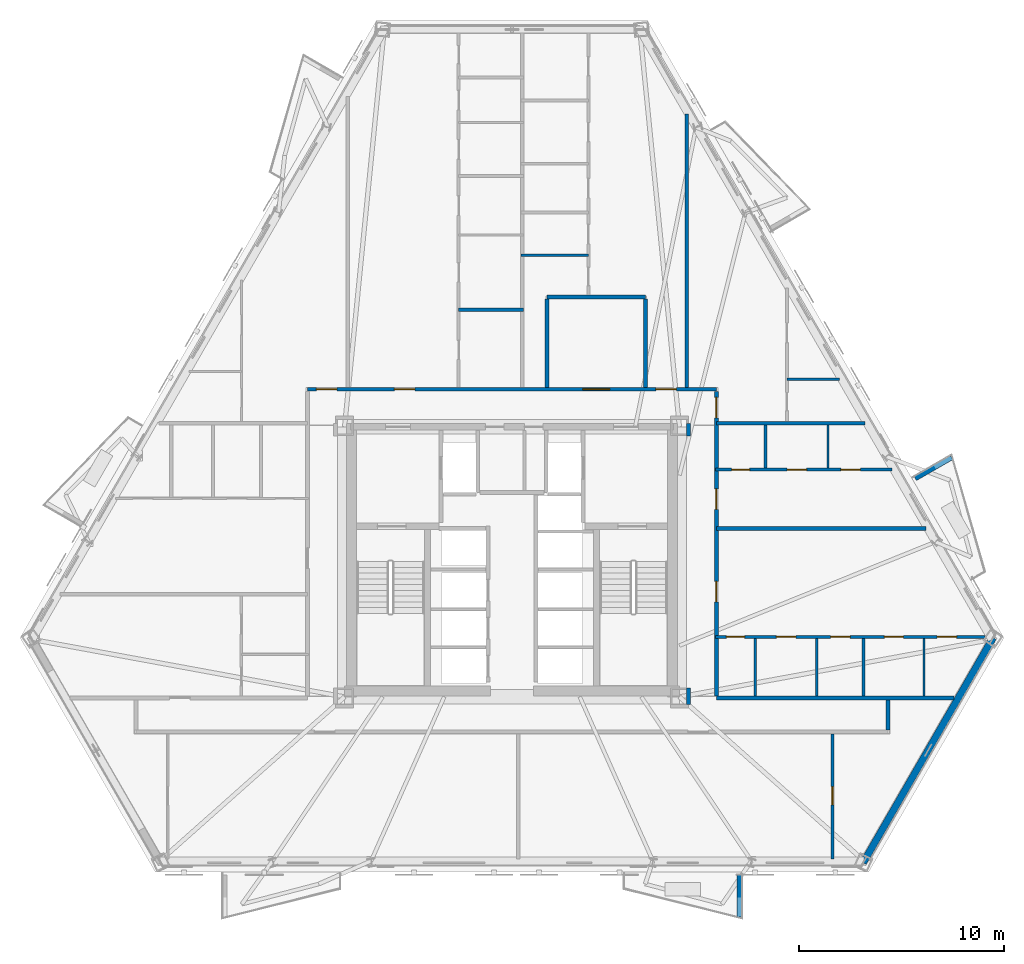
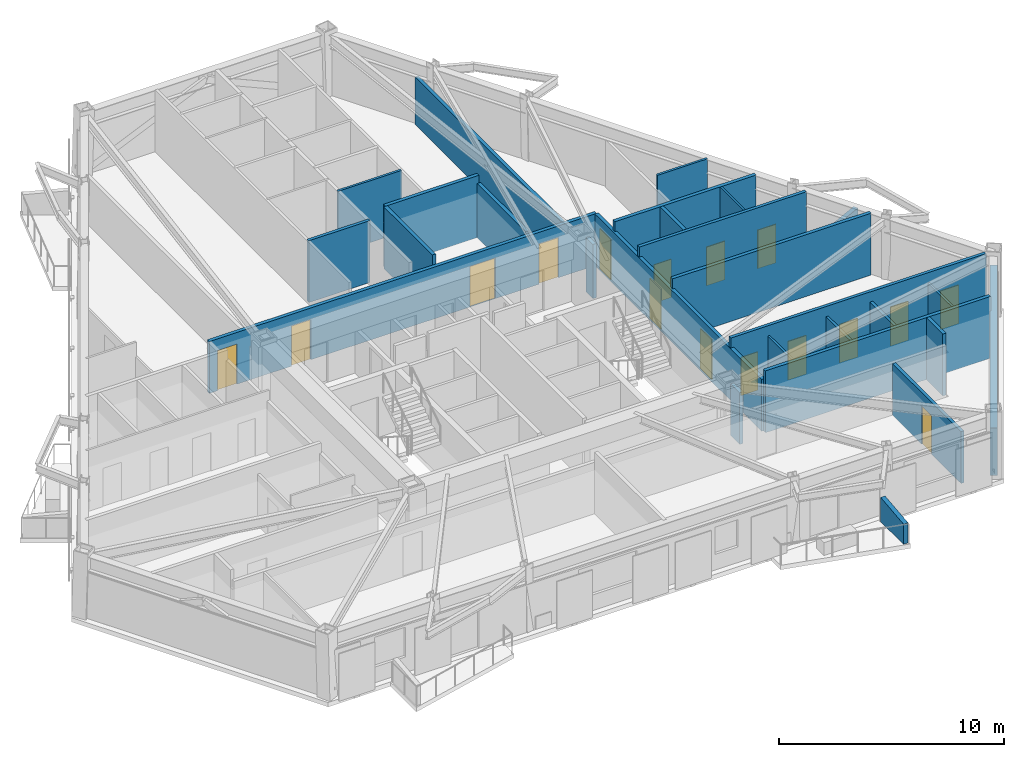
# One storey, part 5 of 11: 27 walls, 16 doors, 16 openings.
"""IFC4 building model written with IfcOpenShell, lengths in metres."""

import ifcopenshell
import ifcopenshell.guid

model = None  # the IFC model being written
_history = None  # IfcOwnerHistory: only IFC2X3 demands one
_inside = {}  # id of a spatial element -> (the spatial element, [elements in it])
_under = {}  # id of a project, library or spatial element -> (it, [spatial elements below it])
_declared = {}  # id of a project -> (the project, [libraries it declares])
_typed = {}  # id of a type object -> (the type object, [elements of that type])
_made_of = {}  # id of a material, layer set ... -> (it, [elements and type objects made of it])


def new_model(schema):
    """Start an empty IFC model of exactly this schema.

    Asked for "IFC4X3", IfcOpenShell would pick the latest addendum, in which some entities
    have other attributes; the version numbers below select the first issue.
    IFC2X3 requires an IfcOwnerHistory on every rooted entity: one is made here for all.
    """
    global model, _history
    if schema == "IFC4X3":
        model = ifcopenshell.file(schema_version=(4, 3, 0, 0))
    else:
        model = ifcopenshell.file(schema=schema)
    _inside.clear()
    _under.clear()
    _declared.clear()
    _typed.clear()
    _made_of.clear()
    _history = None
    if model.schema == "IFC2X3":
        org = make("IfcOrganization", Name="unknown")
        user = make(
            "IfcPersonAndOrganization",
            ThePerson=make("IfcPerson", FamilyName="unknown"),
            TheOrganization=org,
        )
        app = make(
            "IfcApplication",
            ApplicationDeveloper=org,
            Version="unknown",
            ApplicationFullName="unknown",
            ApplicationIdentifier="unknown",
        )
        _history = make(
            "IfcOwnerHistory",
            OwningUser=user,
            OwningApplication=app,
            ChangeAction="ADDED",
            CreationDate=0,
        )
    return model


def make(cls, **values):
    """One entity of the class cls with the attributes given. An attribute that is None is left unset."""
    return model.create_entity(
        cls, **{name: value for name, value in values.items() if value is not None}
    )


def rooted(cls, **values):
    """An entity with a GlobalId (a new one), such as an element, a storey or a relation."""
    return make(cls, GlobalId=ifcopenshell.guid.new(), OwnerHistory=_history, **values)


def si_unit(unit_type, name, prefix=None):
    """IfcSIUnit, for example si_unit("LENGTHUNIT", "METRE", prefix="MILLI")."""
    return make("IfcSIUnit", UnitType=unit_type, Prefix=prefix, Name=name)


def assignment(units):
    """IfcUnitAssignment: the units of a project."""
    return None if units is None else make("IfcUnitAssignment", Units=units)


def point(xyz):
    """IfcCartesianPoint."""
    return None if xyz is None else make("IfcCartesianPoint", Coordinates=xyz)


def direction(xyz):
    """IfcDirection."""
    return None if xyz is None else make("IfcDirection", DirectionRatios=xyz)


def frame(location, z_axis=None, x_axis=None):
    """IfcAxis2Placement3D, a coordinate frame: its origin and axes. An axis left out is left unset."""
    return make(
        "IfcAxis2Placement3D",
        Location=point(location),
        Axis=direction(z_axis),
        RefDirection=direction(x_axis),
    )


def frame_2d(location, x_axis=None):
    """IfcAxis2Placement2D, a coordinate frame in the plane: its origin and x axis."""
    return make(
        "IfcAxis2Placement2D", Location=point(location), RefDirection=direction(x_axis)
    )


def origin():
    """The frame at (0, 0, 0) with its axes left unset."""
    return frame((0.0, 0.0, 0.0))


def place(relative_to, where):
    """IfcLocalPlacement: puts the frame where relative to a parent placement (None: the world)."""
    return make(
        "IfcLocalPlacement", PlacementRelTo=relative_to, RelativePlacement=where
    )


def context(
    kind, dimensions, precision=None, world=None, true_north=None, identifier=None
):
    """IfcGeometricRepresentationContext, for example the 3D "Model" context."""
    return make(
        "IfcGeometricRepresentationContext",
        ContextIdentifier=identifier,
        ContextType=kind,
        CoordinateSpaceDimension=dimensions,
        Precision=precision,
        WorldCoordinateSystem=world,
        TrueNorth=true_north,
    )


def subcontext(parent, identifier, kind, view, scale=None):
    """IfcGeometricRepresentationSubContext, for example "Body" below "Model"."""
    return make(
        "IfcGeometricRepresentationSubContext",
        ContextIdentifier=identifier,
        ContextType=kind,
        ParentContext=parent,
        TargetScale=scale,
        TargetView=view,
    )


def project(units=None, contexts=None):
    """IfcProject with its units and contexts."""
    return rooted(
        "IfcProject",
        Name="project",
        RepresentationContexts=contexts,
        UnitsInContext=assignment(units),
    )


def spatial(cls, under=None, at=None, **own):
    """A site, building, storey or space (cls), placed at a placement, below another one or the project."""
    s = rooted(cls, ObjectPlacement=at, **own)
    if under is not None:
        _under.setdefault(under.id(), (under, []))[1].append(s)
    return s


def polyline(points):
    """IfcPolyline through the points."""
    return make("IfcPolyline", Points=[point(p) for p in points])


def profile(cls, at=None, kind="AREA", **sizes):
    """A parametric profile (cls). Its sizes go by their IFC names, for example OverallWidth=200.0."""
    return make(cls, ProfileType=kind, Position=at, **sizes)


def rectangle(**sizes):
    """IfcRectangleProfileDef."""
    return profile("IfcRectangleProfileDef", **sizes)


def outline(outer, holes=None, kind="AREA"):
    """IfcArbitraryClosedProfileDef: a profile drawn as a closed curve; with holes, ...WithVoids."""
    if holes is None:
        return make("IfcArbitraryClosedProfileDef", ProfileType=kind, OuterCurve=outer)
    return make(
        "IfcArbitraryProfileDefWithVoids",
        ProfileType=kind,
        OuterCurve=outer,
        InnerCurves=holes,
    )


def extrude(swept, where, along, depth):
    """IfcExtrudedAreaSolid: the profile swept, set in the frame where, extruded along a direction by depth."""
    return make(
        "IfcExtrudedAreaSolid",
        SweptArea=swept,
        Position=where,
        ExtrudedDirection=direction(along),
        Depth=depth,
    )


def shape(context_of_items, identifier, shape_type, items):
    """IfcShapeRepresentation: the items that make up one representation, for example the "Body"."""
    return make(
        "IfcShapeRepresentation",
        ContextOfItems=context_of_items,
        RepresentationIdentifier=identifier,
        RepresentationType=shape_type,
        Items=items,
    )


def material(Name=None, Category=None):
    """IfcMaterial."""
    return make("IfcMaterial", Name=Name, Category=Category)


def layer(
    of_material, thickness, ventilated=None, Name=None, Category=None, Priority=None
):
    """IfcMaterialLayer: one layer of a wall or slab, of a material (None: an air gap)."""
    return make(
        "IfcMaterialLayer",
        Material=of_material,
        LayerThickness=thickness,
        IsVentilated=ventilated,
        Name=Name,
        Category=Category,
        Priority=Priority,
    )


def layer_set(layers, Name=None):
    """IfcMaterialLayerSet."""
    return make("IfcMaterialLayerSet", MaterialLayers=layers, LayerSetName=Name)


def made_of(thing, what):
    """Note that an element or type object is made of a material, layer set ...; save() writes the relation."""
    if what is not None:
        _made_of.setdefault(what.id(), (what, []))[1].append(thing)
    return thing


def type_object(cls, material=None, **own):
    """A type object (cls), such as IfcWallType, which elements share."""
    return made_of(rooted(cls, **own), material)


def element(
    cls,
    number,
    at=None,
    inside=None,
    cuts=None,
    type_object=None,
    material=None,
    context=None,
    identifier="Body",
    shape_type=None,
    held_by="IfcProductDefinitionShape",
    body=None,
    shapes=None,
    **own,
):
    """One element of the class cls, such as IfcWall. Its Tag is "e" and its number.

    at: its placement. inside: the storey or other place that contains it. cuts: it is an
    opening in that element (IfcRelVoidsElement). A single representation is given by context,
    identifier, shape_type and body (its items); several are given by shapes. held_by: the class
    of the entity that holds the representations. save() writes the other relations.
    """
    e = rooted(cls, Tag="e%d" % number, ObjectPlacement=at, **own)
    if body is not None:
        shapes = [shape(context, identifier, shape_type, body)]
    if shapes is not None:
        e.Representation = make(held_by, Representations=shapes)
    if inside is not None:
        _inside.setdefault(inside.id(), (inside, []))[1].append(e)
    if cuts is not None:
        rooted(
            "IfcRelVoidsElement", RelatingBuildingElement=cuts, RelatedOpeningElement=e
        )
    if type_object is not None:
        _typed.setdefault(type_object.id(), (type_object, []))[1].append(e)
    return made_of(e, material)


def fill(opening, filler):
    """IfcRelFillsElement: the door or window that sits in an opening."""
    return rooted(
        "IfcRelFillsElement",
        RelatingOpeningElement=opening,
        RelatedBuildingElement=filler,
    )


def aggregate(whole, parts):
    """IfcRelAggregates: a whole, such as a stair, and the parts it consists of."""
    return rooted("IfcRelAggregates", RelatingObject=whole, RelatedObjects=parts)


def save(model, path):
    """Write the relations noted so far, then the file.

    IfcRelAggregates (storeys below a building ...), IfcRelContainedInSpatialStructure (elements
    in a storey), IfcRelDefinesByType, IfcRelAssociatesMaterial and IfcRelDeclares: one each for
    every whole, place, type object, material and project.
    """
    for whole, parts in _under.values():
        aggregate(whole, parts)
    for where, things in _inside.values():
        rooted(
            "IfcRelContainedInSpatialStructure",
            RelatedElements=things,
            RelatingStructure=where,
        )
    for kind, things in _typed.values():
        rooted("IfcRelDefinesByType", RelatedObjects=things, RelatingType=kind)
    for what, things in _made_of.values():
        rooted("IfcRelAssociatesMaterial", RelatedObjects=things, RelatingMaterial=what)
    for by, libraries in _declared.values():
        rooted("IfcRelDeclares", RelatingContext=by, RelatedDefinitions=libraries)
    model.write(path)


model = new_model("IFC4")

# Units and contexts
model_context = context("Model", 3, precision=1e-05, world=origin(), true_north=direction((0.0, 1.0)))
body_context = subcontext(model_context, "Body", "Model", "MODEL_VIEW")
ifc_project = project(units=[si_unit("LENGTHUNIT", "METRE"), si_unit("AREAUNIT", "SQUARE_METRE"), si_unit("VOLUMEUNIT", "CUBIC_METRE"), si_unit("PLANEANGLEUNIT", "RADIAN"), si_unit("MASSUNIT", "GRAM", prefix="KILO")], contexts=[model_context])

# Site, building, storey
site_placement = place(None, origin())
site = spatial("IfcSite", under=ifc_project, at=site_placement, CompositionType="ELEMENT")
building_placement = place(site_placement, origin())
building = spatial("IfcBuilding", under=site, at=building_placement, Name="Oramaril Tower", CompositionType="ELEMENT")
storey_placement = place(building_placement, frame((0.0, 0.0, 86.10009765625)))
storey = spatial("IfcBuildingStorey", under=building, at=storey_placement, Name="L22", CompositionType="ELEMENT", Elevation=86.10009765625)

# Walls
ifc_material_1 = material(Name="Warm Cream Limestone", Category="masonry")
ifc_layer_1 = layer(ifc_material_1, 0.340087890625)
ifc_layer_set_1 = layer_set([ifc_layer_1], Name="WT-EXT34")
wall_type_1 = type_object("IfcWallType", Name="WT-EXT34", PredefinedType="SOLIDWALL", material=ifc_layer_set_1)
wall_1_placement = place(storey_placement, frame((54.595947265625, 2.930419921875, 0.0), z_axis=(0.0, 0.0, 1.0), x_axis=(0.499993808156, 0.866028978618, 0.0)))
element("IfcWall", 1, at=wall_1_placement, inside=storey, type_object=wall_type_1, Name="L22 Tower Limestone Facade Wall 3M", PredefinedType="SOLIDWALL", context=body_context, shape_type="SweptSolid", body=[
    extrude(rectangle(XDim=12.642822265625, YDim=0.340087890625, at=frame_2d((6.3212890625, 0.0))), origin(), (0.0, 0.0, 1.0), 2.577880859375),
])
ifc_material_2 = material(Name="Concrete C40/50", Category="concrete")
ifc_layer_2 = layer(ifc_material_2, 0.22998046875)
ifc_layer_set_2 = layer_set([ifc_layer_2], Name="WT-PRP23")
wall_type_2 = type_object("IfcWallType", Name="WT-PRP23", PredefinedType="PARAPET", material=ifc_layer_set_2)
wall_2_placement = place(storey_placement, frame((48.556640625, 2.33251953125, 0.0), z_axis=(0.0, 0.0, 1.0), x_axis=(0.0, -1.0, 0.0)))
element("IfcWall", 2, at=wall_2_placement, inside=storey, type_object=wall_type_2, Name="L22 Trapezoidal Balcony Frame Cheek L22-BAL-S2-R", PredefinedType="PARAPET", context=body_context, shape_type="SweptSolid", body=[
    extrude(outline(polyline([(0.0, 0.0), (2.042236328125, 0.0), (2.0419921875, 1.099853515625), (0.0, 1.31982421875), (0.0, 0.0)])), frame((0.0, 0.114990234375, 0.0), z_axis=(0.0, -1.0, 0.0), x_axis=(1.0, 0.0, 0.0)), (0.0, 0.0, 1.0), 0.22998046875),
])
wall_3_placement = place(storey_placement, frame((57.133056640625, 21.6298828125, 0.0), z_axis=(0.0, 0.0, 1.0), x_axis=(0.866012356593, 0.500022597718, 0.0)))
element("IfcWall", 3, at=wall_3_placement, inside=storey, type_object=wall_type_2, Name="L22 Trapezoidal Balcony Frame Cheek L22-BAL-NE1-R", PredefinedType="PARAPET", context=body_context, shape_type="SweptSolid", body=[
    extrude(outline(polyline([(0.0, 0.0), (2.0419921875, 0.0), (2.0419921875, 1.099853515625), (0.0, 1.31982421875), (0.0, 0.0)])), frame((0.0, 0.114990234375, 0.0), z_axis=(0.0, -1.0, 0.0), x_axis=(1.0, 0.0, 0.0)), (0.0, 0.0, 1.0), 0.22998046875),
])
ifc_material_3 = material(Name="Acoustic Gypsum Board Partition")
ifc_layer_3 = layer(ifc_material_3, 0.10009765625)
ifc_layer_set_3 = layer_set([ifc_layer_3], Name="WT-PT10")
wall_type_3 = type_object("IfcWallType", Name="WT-PT10", PredefinedType="PARTITIONING", material=ifc_layer_set_3)
wall_4_placement = place(storey_placement, frame((49.340087890625, 11.0439453125, 0.0), z_axis=(0.0, 0.0, 1.0), x_axis=(0.0, 1.0, 0.0)))
element("IfcWall", 4, at=wall_4_placement, inside=storey, type_object=wall_type_3, Name="L22 Interior Partition PT-10", PredefinedType="PARTITIONING", context=body_context, shape_type="SweptSolid", body=[
    extrude(rectangle(XDim=2.7919921875, YDim=0.10009765625, at=frame_2d((1.39599609375, 0.0))), origin(), (0.0, 0.0, 1.0), 2.81396484375),
])
wall_5_placement = place(storey_placement, frame((52.889892578125, 22.154052734375, 0.0), z_axis=(0.0, 0.0, 1.0), x_axis=(0.0, 1.0, 0.0)))
element("IfcWall", 5, at=wall_5_placement, inside=storey, type_object=wall_type_3, Name="L22 Interior Partition PT-10", PredefinedType="PARTITIONING", context=body_context, shape_type="SweptSolid", body=[
    extrude(rectangle(XDim=2.072021484375, YDim=0.10009765625, at=frame_2d((1.0361328125, 0.0))), origin(), (0.0, 0.0, 1.0), 3.35986328125),
])
wall_6_placement = place(storey_placement, frame((57.56005859375, 11.0439453125, 0.0), z_axis=(0.0, 0.0, 1.0), x_axis=(0.0, 1.0, 0.0)))
element("IfcWall", 6, at=wall_6_placement, inside=storey, type_object=wall_type_3, Name="L22 Interior Partition PT-10", PredefinedType="PARTITIONING", context=body_context, shape_type="SweptSolid", body=[
    extrude(rectangle(XDim=2.7919921875, YDim=0.10009765625, at=frame_2d((1.39599609375, 0.0))), origin(), (0.0, 0.0, 1.0), 2.81396484375),
])
ifc_material_4 = material(Name="Acoustic Gypsum Board Partition")
ifc_layer_4 = layer(ifc_material_4, 0.1201171875)
ifc_layer_set_4 = layer_set([ifc_layer_4], Name="WT-PT12")
wall_type_4 = type_object("IfcWallType", Name="WT-PT12", PredefinedType="PARTITIONING", material=ifc_layer_set_4)
wall_7_placement = place(storey_placement, frame((50.881103515625, 26.4599609375, 0.0), z_axis=(0.0, 0.0, 1.0), x_axis=(1.0, 0.0, 0.0)))
element("IfcWall", 7, at=wall_7_placement, inside=storey, type_object=wall_type_4, Name="L22 Interior Partition PT-12", PredefinedType="PARTITIONING", context=body_context, shape_type="SweptSolid", body=[
    extrude(rectangle(XDim=2.57177734375, YDim=0.1201171875, at=frame_2d((1.285888671875, 0.0))), origin(), (0.0, 0.0, 1.0), 3.35986328125),
])
wall_8_placement = place(storey_placement, frame((37.949951171875, 32.489990234375, 0.0), z_axis=(0.0, 0.0, 1.0), x_axis=(1.0, 0.0, 0.0)))
element("IfcWall", 8, at=wall_8_placement, inside=storey, type_object=wall_type_4, Name="L22 Interior Partition PT-12", PredefinedType="PARTITIONING", context=body_context, shape_type="SweptSolid", body=[
    extrude(rectangle(XDim=3.27001953125, YDim=0.1201171875, at=frame_2d((1.635009765625, 0.0))), origin(), (0.0, 0.0, 1.0), 3.35986328125),
])
wall_9_placement = place(storey_placement, frame((52.340087890625, 11.0439453125, 0.0), z_axis=(0.0, 0.0, 1.0), x_axis=(0.0, 1.0, 0.0)))
element("IfcWall", 9, at=wall_9_placement, inside=storey, type_object=wall_type_4, Name="L22 Interior Partition PT-12", PredefinedType="PARTITIONING", context=body_context, shape_type="SweptSolid", body=[
    extrude(rectangle(XDim=2.7919921875, YDim=0.1201171875, at=frame_2d((1.39599609375, 0.0))), origin(), (0.0, 0.0, 1.0), 2.81396484375),
])
ifc_material_5 = material(Name="Acoustic Gypsum Board Partition")
ifc_layer_5 = layer(ifc_material_5, 0.139892578125)
ifc_layer_set_5 = layer_set([ifc_layer_5], Name="WT-PT14")
wall_type_5 = type_object("IfcWallType", Name="WT-PT14", PredefinedType="PARTITIONING", material=ifc_layer_set_5)
wall_10_placement = place(storey_placement, frame((54.610107421875, 11.0439453125, 0.0), z_axis=(0.0, 0.0, 1.0), x_axis=(0.0, 1.0, 0.0)))
element("IfcWall", 10, at=wall_10_placement, inside=storey, type_object=wall_type_5, Name="L22 Interior Partition PT-14", PredefinedType="PARTITIONING", context=body_context, shape_type="SweptSolid", body=[
    extrude(rectangle(XDim=2.7919921875, YDim=0.139892578125, at=frame_2d((1.39599609375, 0.0))), origin(), (0.0, 0.0, 1.0), 2.81396484375),
])

# Wall, openings, doors
ifc_material_6 = material(Name="Acoustic Gypsum Board Partition")
ifc_layer_6 = layer(ifc_material_6, 0.159912109375)
ifc_layer_set_6 = layer_set([ifc_layer_6], Name="WT-PT16")
wall_type_6 = type_object("IfcWallType", Name="WT-PT16", PredefinedType="PARTITIONING", material=ifc_layer_set_6)
wall_11_placement = place(storey_placement, frame((47.39990234375, 13.919921875, 0.0), z_axis=(0.0, 0.0, 1.0), x_axis=(1.0, 0.0, 0.0)))
wall_11 = element("IfcWall", 11, at=wall_11_placement, inside=storey, type_object=wall_type_6, Name="L22 Interior Partition PT-16", PredefinedType="PARTITIONING", context=body_context, shape_type="SweptSolid", body=[
    extrude(rectangle(XDim=13.12353515625, YDim=0.159912109375, at=frame_2d((6.561767578125, 0.0))), origin(), (0.0, 0.0, 1.0), 3.35986328125),
])
opening_1_placement = place(wall_11_placement, frame((0.5400390625, 0.0, 0.0)))
opening_1 = element("IfcOpeningElement", 12, at=opening_1_placement, cuts=wall_11, Name="Opening D-L22-04", PredefinedType="OPENING", context=body_context, shape_type="SweptSolid", body=[
    extrude(rectangle(XDim=0.8798828125, YDim=2.080078125, at=frame_2d((0.43994140625, 1.0400390625))), frame((0.0, 0.080078125, 0.0), z_axis=(0.0, -1.0, 0.0), x_axis=(1.0, 0.0, 0.0)), (0.0, 0.0, 1.0), 0.159912109375),
])
opening_2_placement = place(wall_11_placement, frame((2.96728515625, 0.0, 0.0)))
opening_2 = element("IfcOpeningElement", 13, at=opening_2_placement, cuts=wall_11, Name="Opening D-L22-05", PredefinedType="OPENING", context=body_context, shape_type="SweptSolid", body=[
    extrude(rectangle(XDim=0.949951171875, YDim=2.10009765625, at=frame_2d((0.47509765625, 1.050048828125))), frame((0.0, 0.080078125, 0.0), z_axis=(0.0, -1.0, 0.0), x_axis=(1.0, 0.0, 0.0)), (0.0, 0.0, 1.0), 0.159912109375),
])
opening_3_placement = place(wall_11_placement, frame((5.60400390625, 0.0, 0.0)))
opening_3 = element("IfcOpeningElement", 14, at=opening_3_placement, cuts=wall_11, Name="Opening D-L22-06", PredefinedType="OPENING", context=body_context, shape_type="SweptSolid", body=[
    extrude(rectangle(XDim=0.949951171875, YDim=2.10009765625, at=frame_2d((0.47509765625, 1.050048828125))), frame((0.0, 0.080078125, 0.0), z_axis=(0.0, -1.0, 0.0), x_axis=(1.0, 0.0, 0.0)), (0.0, 0.0, 1.0), 0.159912109375),
])
opening_4_placement = place(wall_11_placement, frame((8.22509765625, 0.0, 0.0)))
opening_4 = element("IfcOpeningElement", 15, at=opening_4_placement, cuts=wall_11, Name="Opening D-L22-07", PredefinedType="OPENING", context=body_context, shape_type="SweptSolid", body=[
    extrude(rectangle(XDim=0.919921875, YDim=2.1201171875, at=frame_2d((0.4599609375, 1.06005859375))), frame((0.0, 0.080078125, 0.0), z_axis=(0.0, -1.0, 0.0), x_axis=(1.0, 0.0, 0.0)), (0.0, 0.0, 1.0), 0.159912109375),
])
opening_5_placement = place(wall_11_placement, frame((10.789794921875, 0.0, 0.0)))
opening_5 = element("IfcOpeningElement", 16, at=opening_5_placement, cuts=wall_11, Name="Opening D-L22-08", PredefinedType="OPENING", context=body_context, shape_type="SweptSolid", body=[
    extrude(rectangle(XDim=0.949951171875, YDim=2.10009765625, at=frame_2d((0.47509765625, 1.050048828125))), frame((0.0, 0.080078125, 0.0), z_axis=(0.0, -1.0, 0.0), x_axis=(1.0, 0.0, 0.0)), (0.0, 0.0, 1.0), 0.159912109375),
])
ifc_material_7 = material(Name="FSC Brazilian Freijo Hardwood", Category="wood")
door_type_1 = type_object("IfcDoorType", Name="DT-BATH", OperationType="NOTDEFINED", PredefinedType="DOOR", material=ifc_material_7)
door_1_placement = place(opening_1_placement, origin())
door_1 = element("IfcDoor", 17, at=door_1_placement, inside=storey, type_object=door_type_1, Name="L22 Flat L22-U5 Bathroom Door D-L22-04", OperationType="SINGLE_SWING_RIGHT", OverallHeight=2.080078125, OverallWidth=0.8798828125, PredefinedType="DOOR", context=body_context, shape_type="SweptSolid", body=[
    extrude(rectangle(XDim=0.8798828125, YDim=2.080078125, at=frame_2d((0.43994140625, 1.0400390625))), frame((0.0, 0.02490234375, 0.0), z_axis=(0.0, -1.0, 0.0), x_axis=(1.0, 0.0, 0.0)), (0.0, 0.0, 1.0), 0.050048828125),
])
fill(opening_1, door_1)
ifc_material_8 = material(Name="FSC Brazilian Freijo Hardwood", Category="wood")
door_type_2 = type_object("IfcDoorType", Name="DT-BED", OperationType="NOTDEFINED", PredefinedType="DOOR", material=ifc_material_8)
door_2_placement = place(opening_4_placement, origin())
door_2 = element("IfcDoor", 18, at=door_2_placement, inside=storey, type_object=door_type_2, Name="L22 Flat L22-U5 Bedroom 2 Door D-L22-07", OperationType="SINGLE_SWING_LEFT", OverallHeight=2.1201171875, OverallWidth=0.919921875, PredefinedType="DOOR", context=body_context, shape_type="SweptSolid", body=[
    extrude(rectangle(XDim=0.919921875, YDim=2.1201171875, at=frame_2d((0.4599609375, 1.06005859375))), frame((0.0, 0.02490234375, 0.0), z_axis=(0.0, -1.0, 0.0), x_axis=(1.0, 0.0, 0.0)), (0.0, 0.0, 1.0), 0.050048828125),
])
fill(opening_4, door_2)
ifc_material_9 = material(Name="FSC Brazilian Freijo Hardwood", Category="wood")
door_type_3 = type_object("IfcDoorType", Name="DT-STDY", OperationType="NOTDEFINED", PredefinedType="DOOR", material=ifc_material_9)
door_3_placement = place(opening_2_placement, origin())
door_3 = element("IfcDoor", 19, at=door_3_placement, inside=storey, type_object=door_type_3, Name="L22 Flat L22-U5 Kitchen Door D-L22-05", OperationType="SINGLE_SWING_LEFT", OverallHeight=2.10009765625, OverallWidth=0.949951171875, PredefinedType="DOOR", context=body_context, shape_type="SweptSolid", body=[
    extrude(rectangle(XDim=0.949951171875, YDim=2.10009765625, at=frame_2d((0.47509765625, 1.050048828125))), frame((0.0, 0.02490234375, 0.0), z_axis=(0.0, -1.0, 0.0), x_axis=(1.0, 0.0, 0.0)), (0.0, 0.0, 1.0), 0.050048828125),
])
fill(opening_2, door_3)
door_4_placement = place(opening_3_placement, origin())
door_4 = element("IfcDoor", 20, at=door_4_placement, inside=storey, type_object=door_type_3, Name="L22 Flat L22-U5 Reading Study Door D-L22-06", OperationType="SINGLE_SWING_RIGHT", OverallHeight=2.10009765625, OverallWidth=0.949951171875, PredefinedType="DOOR", context=body_context, shape_type="SweptSolid", body=[
    extrude(rectangle(XDim=0.949951171875, YDim=2.10009765625, at=frame_2d((0.47509765625, 1.050048828125))), frame((0.0, 0.02490234375, 0.0), z_axis=(0.0, -1.0, 0.0), x_axis=(1.0, 0.0, 0.0)), (0.0, 0.0, 1.0), 0.050048828125),
])
fill(opening_3, door_4)
door_5_placement = place(opening_5_placement, origin())
door_5 = element("IfcDoor", 21, at=door_5_placement, inside=storey, type_object=door_type_3, Name="L22 Flat L22-U5 Breakfast Dining Room Door D-L22-08", OperationType="SINGLE_SWING_RIGHT", OverallHeight=2.10009765625, OverallWidth=0.949951171875, PredefinedType="DOOR", context=body_context, shape_type="SweptSolid", body=[
    extrude(rectangle(XDim=0.949951171875, YDim=2.10009765625, at=frame_2d((0.47509765625, 1.050048828125))), frame((0.0, 0.02490234375, 0.0), z_axis=(0.0, -1.0, 0.0), x_axis=(1.0, 0.0, 0.0)), (0.0, 0.0, 1.0), 0.050048828125),
])
fill(opening_5, door_5)

wall_12_placement = place(storey_placement, frame((47.39990234375, 22.070068359375, 0.0), z_axis=(0.0, 0.0, 1.0), x_axis=(1.0, 0.0, 0.0)))
wall_12 = element("IfcWall", 22, at=wall_12_placement, inside=storey, type_object=wall_type_6, Name="L22 Interior Partition PT-16", PredefinedType="PARTITIONING", context=body_context, shape_type="SweptSolid", body=[
    extrude(rectangle(XDim=8.587646484375, YDim=0.159912109375, at=frame_2d((4.2939453125, 0.0))), origin(), (0.0, 0.0, 1.0), 3.35986328125),
])
opening_6_placement = place(wall_12_placement, frame((0.78857421875, 0.0, 0.0)))
opening_6 = element("IfcOpeningElement", 23, at=opening_6_placement, cuts=wall_12, Name="Opening D-L22-13", PredefinedType="OPENING", context=body_context, shape_type="SweptSolid", body=[
    extrude(rectangle(XDim=0.8798828125, YDim=2.080078125, at=frame_2d((0.43994140625, 1.0400390625))), frame((0.0, 0.080078125, 0.0), z_axis=(0.0, -1.0, 0.0), x_axis=(1.0, 0.0, 0.0)), (0.0, 0.0, 1.0), 0.159912109375),
])
opening_7_placement = place(wall_12_placement, frame((3.487060546875, 0.0, 0.0)))
opening_7 = element("IfcOpeningElement", 24, at=opening_7_placement, cuts=wall_12, Name="Opening D-L22-14", PredefinedType="OPENING", context=body_context, shape_type="SweptSolid", body=[
    extrude(rectangle(XDim=0.949951171875, YDim=2.10009765625, at=frame_2d((0.47509765625, 1.050048828125))), frame((0.0, 0.080078125, 0.0), z_axis=(0.0, -1.0, 0.0), x_axis=(1.0, 0.0, 0.0)), (0.0, 0.0, 1.0), 0.159912109375),
])
opening_8_placement = place(wall_12_placement, frame((6.11181640625, 0.0, 0.0)))
opening_8 = element("IfcOpeningElement", 25, at=opening_8_placement, cuts=wall_12, Name="Opening D-L22-15", PredefinedType="OPENING", context=body_context, shape_type="SweptSolid", body=[
    extrude(rectangle(XDim=0.949951171875, YDim=2.10009765625, at=frame_2d((0.47509765625, 1.050048828125))), frame((0.0, 0.080078125, 0.0), z_axis=(0.0, -1.0, 0.0), x_axis=(1.0, 0.0, 0.0)), (0.0, 0.0, 1.0), 0.159912109375),
])
door_6_placement = place(opening_6_placement, origin())
door_6 = element("IfcDoor", 26, at=door_6_placement, inside=storey, type_object=door_type_1, Name="L22 Flat L22-U6 Bathroom Door D-L22-13", OperationType="SINGLE_SWING_LEFT", OverallHeight=2.080078125, OverallWidth=0.8798828125, PredefinedType="DOOR", context=body_context, shape_type="SweptSolid", body=[
    extrude(rectangle(XDim=0.8798828125, YDim=2.080078125, at=frame_2d((0.43994140625, 1.0400390625))), frame((0.0, 0.02490234375, 0.0), z_axis=(0.0, -1.0, 0.0), x_axis=(1.0, 0.0, 0.0)), (0.0, 0.0, 1.0), 0.050048828125),
])
fill(opening_6, door_6)
door_7_placement = place(opening_7_placement, origin())
door_7 = element("IfcDoor", 27, at=door_7_placement, inside=storey, type_object=door_type_3, Name="L22 Flat L22-U6 Kitchen Door D-L22-14", OperationType="SINGLE_SWING_RIGHT", OverallHeight=2.10009765625, OverallWidth=0.949951171875, PredefinedType="DOOR", context=body_context, shape_type="SweptSolid", body=[
    extrude(rectangle(XDim=0.949951171875, YDim=2.10009765625, at=frame_2d((0.47509765625, 1.050048828125))), frame((0.0, 0.02490234375, 0.0), z_axis=(0.0, -1.0, 0.0), x_axis=(1.0, 0.0, 0.0)), (0.0, 0.0, 1.0), 0.050048828125),
])
fill(opening_7, door_7)
door_8_placement = place(opening_8_placement, origin())
door_8 = element("IfcDoor", 28, at=door_8_placement, inside=storey, type_object=door_type_3, Name="L22 Flat L22-U6 Breakfast Dining Room Door D-L22-15", OperationType="SINGLE_SWING_LEFT", OverallHeight=2.10009765625, OverallWidth=0.949951171875, PredefinedType="DOOR", context=body_context, shape_type="SweptSolid", body=[
    extrude(rectangle(XDim=0.949951171875, YDim=2.10009765625, at=frame_2d((0.47509765625, 1.050048828125))), frame((0.0, 0.02490234375, 0.0), z_axis=(0.0, -1.0, 0.0), x_axis=(1.0, 0.0, 0.0)), (0.0, 0.0, 1.0), 0.050048828125),
])
fill(opening_8, door_8)

# Walls
wall_13_placement = place(storey_placement, frame((34.89990234375, 29.840087890625, 0.0), z_axis=(0.0, 0.0, 1.0), x_axis=(1.0, 0.0, 0.0)))
element("IfcWall", 29, at=wall_13_placement, inside=storey, type_object=wall_type_6, Name="L22 Interior Partition PT-16", PredefinedType="PARTITIONING", context=body_context, shape_type="SweptSolid", body=[
    extrude(rectangle(XDim=3.150146484375, YDim=0.159912109375, at=frame_2d((1.5751953125, 0.0))), origin(), (0.0, 0.0, 1.0), 3.35986328125),
])
wall_14_placement = place(storey_placement, frame((49.840087890625, 22.154052734375, 0.0), z_axis=(0.0, 0.0, 1.0), x_axis=(0.0, 1.0, 0.0)))
element("IfcWall", 30, at=wall_14_placement, inside=storey, type_object=wall_type_6, Name="L22 Interior Partition PT-16", PredefinedType="PARTITIONING", context=body_context, shape_type="SweptSolid", body=[
    extrude(rectangle(XDim=2.072021484375, YDim=0.159912109375, at=frame_2d((1.0361328125, 0.0))), origin(), (0.0, 0.0, 1.0), 3.35986328125),
])

# Wall, opening, door
wall_15_placement = place(storey_placement, frame((53.10009765625, 3.1044921875, 0.0), z_axis=(0.0, 0.0, 1.0), x_axis=(0.0, 1.0, 0.0)))
wall_15 = element("IfcWall", 31, at=wall_15_placement, inside=storey, type_object=wall_type_6, Name="L22 Interior Partition PT-16", PredefinedType="PARTITIONING", context=body_context, shape_type="SweptSolid", body=[
    extrude(rectangle(XDim=6.1015625, YDim=0.159912109375, at=frame_2d((3.05078125, 0.0))), origin(), (0.0, 0.0, 1.0), 2.81396484375),
])
opening_9_placement = place(wall_15_placement, frame((2.645751953125, 0.0, 0.0)))
opening_9 = element("IfcOpeningElement", 32, at=opening_9_placement, cuts=wall_15, Name="Opening D-L22-42", PredefinedType="OPENING", context=body_context, shape_type="SweptSolid", body=[
    extrude(rectangle(XDim=0.8798828125, YDim=2.080078125, at=frame_2d((0.43994140625, 1.0400390625))), frame((0.0, 0.080078125, 0.0), z_axis=(0.0, -1.0, 0.0), x_axis=(1.0, 0.0, 0.0)), (0.0, 0.0, 1.0), 0.159912109375),
])
door_9_placement = place(opening_9_placement, origin())
door_9 = element("IfcDoor", 33, at=door_9_placement, inside=storey, type_object=door_type_1, Name="L22 Flat L22-U2 Bathroom Door D-L22-42", OperationType="SINGLE_SWING_RIGHT", OverallHeight=2.080078125, OverallWidth=0.8798828125, PredefinedType="DOOR", context=body_context, shape_type="SweptSolid", body=[
    extrude(rectangle(XDim=0.8798828125, YDim=2.080078125, at=frame_2d((0.43994140625, 1.0400390625))), frame((0.0, 0.02490234375, 0.0), z_axis=(0.0, -1.0, 0.0), x_axis=(1.0, 0.0, 0.0)), (0.0, 0.0, 1.0), 0.050048828125),
])
fill(opening_9, door_9)

# Walls
ifc_material_10 = material(Name="Autoclaved Cellular Concrete Block", Category="concrete")
ifc_layer_7 = layer(ifc_material_10, 0.179931640625)
ifc_layer_set_7 = layer_set([ifc_layer_7], Name="WT-PT18")
wall_type_7 = type_object("IfcWallType", Name="WT-PT18", PredefinedType="PARTITIONING", material=ifc_layer_set_7)
wall_16_placement = place(storey_placement, frame((47.449951171875, 10.949951171875, 0.0), z_axis=(0.0, 0.0, 1.0), x_axis=(1.0, 0.0, 0.0)))
element("IfcWall", 34, at=wall_16_placement, inside=storey, type_object=wall_type_7, Name="L22 Interior Partition PT-18", PredefinedType="PARTITIONING", context=body_context, shape_type="SweptSolid", body=[
    extrude(rectangle(XDim=11.5751953125, YDim=0.179931640625, at=frame_2d((5.78759765625, 0.0))), origin(), (0.0, 0.0, 1.0), 3.35986328125),
])
wall_17_placement = place(storey_placement, frame((47.449951171875, 19.199951171875, 0.0), z_axis=(0.0, 0.0, 1.0), x_axis=(1.0, 0.0, 0.0)))
element("IfcWall", 35, at=wall_17_placement, inside=storey, type_object=wall_type_7, Name="L22 Interior Partition PT-18", PredefinedType="PARTITIONING", context=body_context, shape_type="SweptSolid", body=[
    extrude(rectangle(XDim=10.194580078125, YDim=0.179931640625, at=frame_2d((5.09716796875, 0.0))), origin(), (0.0, 0.0, 1.0), 3.35986328125),
])
wall_18_placement = place(storey_placement, frame((47.449951171875, 24.320068359375, 0.0), z_axis=(0.0, 0.0, 1.0), x_axis=(1.0, 0.0, 0.0)))
element("IfcWall", 36, at=wall_18_placement, inside=storey, type_object=wall_type_7, Name="L22 Interior Partition PT-18", PredefinedType="PARTITIONING", context=body_context, shape_type="SweptSolid", body=[
    extrude(rectangle(XDim=7.238525390625, YDim=0.179931640625, at=frame_2d((3.619140625, 0.0))), origin(), (0.0, 0.0, 1.0), 3.35986328125),
])

# Wall, openings, doors
wall_19_placement = place(storey_placement, frame((27.550048828125, 25.969970703125, 0.0), z_axis=(0.0, 0.0, 1.0), x_axis=(1.0, 0.0, 0.0)))
wall_19 = element("IfcWall", 37, at=wall_19_placement, inside=storey, type_object=wall_type_7, Name="L22 Interior Partition PT-18", PredefinedType="PARTITIONING", context=body_context, shape_type="SweptSolid", body=[
    extrude(rectangle(XDim=19.89990234375, YDim=0.179931640625, at=frame_2d((9.949951171875, 0.0))), origin(), (0.0, 0.0, 1.0), 2.81396484375),
])
opening_10_placement = place(wall_19_placement, frame((0.4248046875, 0.0, 0.0)))
opening_10 = element("IfcOpeningElement", 38, at=opening_10_placement, cuts=wall_19, Name="Opening D-L22-16", PredefinedType="OPENING", context=body_context, shape_type="SweptSolid", body=[
    extrude(rectangle(XDim=1.0, YDim=2.179931640625, at=frame_2d((0.5, 1.08984375))), frame((0.0, 0.08984375, 0.0), z_axis=(0.0, -1.0, 0.0), x_axis=(1.0, 0.0, 0.0)), (0.0, 0.0, 1.0), 0.179931640625),
])
opening_11_placement = place(wall_19_placement, frame((4.222412109375, 0.0, 0.0)))
opening_11 = element("IfcOpeningElement", 39, at=opening_11_placement, cuts=wall_19, Name="Opening D-L22-17", PredefinedType="OPENING", context=body_context, shape_type="SweptSolid", body=[
    extrude(rectangle(XDim=1.0, YDim=2.179931640625, at=frame_2d((0.5, 1.08984375))), frame((0.0, 0.08984375, 0.0), z_axis=(0.0, -1.0, 0.0), x_axis=(1.0, 0.0, 0.0)), (0.0, 0.0, 1.0), 0.179931640625),
])
opening_12_placement = place(wall_19_placement, frame((13.39990234375, 0.0, 0.0)))
opening_12 = element("IfcOpeningElement", 40, at=opening_12_placement, cuts=wall_19, Name="Opening D-L22-18", PredefinedType="OPENING", context=body_context, shape_type="SweptSolid", body=[
    extrude(rectangle(XDim=1.300048828125, YDim=2.199951171875, at=frame_2d((0.64990234375, 1.10009765625))), frame((0.0, 0.08984375, 0.0), z_axis=(0.0, -1.0, 0.0), x_axis=(1.0, 0.0, 0.0)), (0.0, 0.0, 1.0), 0.179931640625),
])
opening_13_placement = place(wall_19_placement, frame((16.949951171875, 0.0, 0.0)))
opening_13 = element("IfcOpeningElement", 41, at=opening_13_placement, cuts=wall_19, Name="Opening D-L22-19", PredefinedType="OPENING", context=body_context, shape_type="SweptSolid", body=[
    extrude(rectangle(XDim=1.0, YDim=2.179931640625, at=frame_2d((0.5, 1.08984375))), frame((0.0, 0.08984375, 0.0), z_axis=(0.0, -1.0, 0.0), x_axis=(1.0, 0.0, 0.0)), (0.0, 0.0, 1.0), 0.179931640625),
])
ifc_material_11 = material(Name="FSC Brazilian Freijo Hardwood", Category="wood")
door_type_4 = type_object("IfcDoorType", Name="DT-APT", OperationType="NOTDEFINED", PredefinedType="DOOR", material=ifc_material_11)
door_10_placement = place(opening_10_placement, origin())
door_10 = element("IfcDoor", 42, at=door_10_placement, inside=storey, type_object=door_type_4, Name="L22 Flat L22-U7 Studio Apartment Door D-L22-16", OperationType="SINGLE_SWING_RIGHT", OverallHeight=2.179931640625, OverallWidth=1.0, PredefinedType="DOOR", context=body_context, shape_type="SweptSolid", body=[
    extrude(rectangle(XDim=1.0, YDim=2.179931640625, at=frame_2d((0.5, 1.08984375))), frame((0.0, 0.02490234375, 0.0), z_axis=(0.0, -1.0, 0.0), x_axis=(1.0, 0.0, 0.0)), (0.0, 0.0, 1.0), 0.050048828125),
])
fill(opening_10, door_10)
door_11_placement = place(opening_11_placement, origin())
door_11 = element("IfcDoor", 43, at=door_11_placement, inside=storey, type_object=door_type_4, Name="L22 Flat L22-U8 Penthouse 2-Bedroom Living and Dining Room Door D-L22-17", OperationType="SINGLE_SWING_LEFT", OverallHeight=2.179931640625, OverallWidth=1.0, PredefinedType="DOOR", context=body_context, shape_type="SweptSolid", body=[
    extrude(rectangle(XDim=1.0, YDim=2.179931640625, at=frame_2d((0.5, 1.08984375))), frame((0.0, 0.02490234375, 0.0), z_axis=(0.0, -1.0, 0.0), x_axis=(1.0, 0.0, 0.0)), (0.0, 0.0, 1.0), 0.050048828125),
])
fill(opening_11, door_11)
door_12_placement = place(opening_13_placement, origin())
door_12 = element("IfcDoor", 44, at=door_12_placement, inside=storey, type_object=door_type_4, Name="L22 Flat L22-U9 Penthouse 2-Bedroom Living and Dining Room Door D-L22-19", OperationType="SINGLE_SWING_LEFT", OverallHeight=2.179931640625, OverallWidth=1.0, PredefinedType="DOOR", context=body_context, shape_type="SweptSolid", body=[
    extrude(rectangle(XDim=1.0, YDim=2.179931640625, at=frame_2d((0.5, 1.08984375))), frame((0.0, 0.02490234375, 0.0), z_axis=(0.0, -1.0, 0.0), x_axis=(1.0, 0.0, 0.0)), (0.0, 0.0, 1.0), 0.050048828125),
])
fill(opening_13, door_12)
ifc_material_12 = material(Name="FSC Brazilian Freijo Hardwood", Category="wood")
door_type_5 = type_object("IfcDoorType", Name="DT-COM", OperationType="NOTDEFINED", PredefinedType="DOOR", material=ifc_material_12)
door_13_placement = place(opening_12_placement, origin())
door_13 = element("IfcDoor", 45, at=door_13_placement, inside=storey, type_object=door_type_5, Name="L22 L22 Residents Floor Meeting Suite Door D-L22-18", OperationType="SINGLE_SWING_RIGHT", OverallHeight=2.199951171875, OverallWidth=1.300048828125, PredefinedType="DOOR", context=body_context, shape_type="SweptSolid", body=[
    extrude(rectangle(XDim=1.300048828125, YDim=2.199951171875, at=frame_2d((0.64990234375, 1.10009765625))), frame((0.0, 0.02490234375, 0.0), z_axis=(0.0, -1.0, 0.0), x_axis=(1.0, 0.0, 0.0)), (0.0, 0.0, 1.0), 0.050048828125),
])
fill(opening_12, door_13)

# Walls
wall_20_placement = place(storey_placement, frame((39.199951171875, 30.469970703125, 0.0), z_axis=(0.0, 0.0, 1.0), x_axis=(1.0, 0.0, 0.0)))
element("IfcWall", 46, at=wall_20_placement, inside=storey, type_object=wall_type_7, Name="L22 Interior Partition PT-18", PredefinedType="PARTITIONING", context=body_context, shape_type="SweptSolid", body=[
    extrude(rectangle(XDim=4.800048828125, YDim=0.179931640625, at=frame_2d((2.39990234375, 0.0))), origin(), (0.0, 0.0, 1.0), 3.35986328125),
])
wall_21_placement = place(storey_placement, frame((39.199951171875, 26.06396484375, 0.0), z_axis=(0.0, 0.0, 1.0), x_axis=(0.0, 1.0, 0.0)))
element("IfcWall", 47, at=wall_21_placement, inside=storey, type_object=wall_type_7, Name="L22 Interior Partition PT-18", PredefinedType="PARTITIONING", context=body_context, shape_type="SweptSolid", body=[
    extrude(rectangle(XDim=4.31201171875, YDim=0.179931640625, at=frame_2d((2.156005859375, 0.0))), origin(), (0.0, 0.0, 1.0), 3.35986328125),
])
wall_22_placement = place(storey_placement, frame((44.0, 26.06396484375, 0.0), z_axis=(0.0, 0.0, 1.0), x_axis=(0.0, 1.0, 0.0)))
element("IfcWall", 48, at=wall_22_placement, inside=storey, type_object=wall_type_7, Name="L22 Interior Partition PT-18", PredefinedType="PARTITIONING", context=body_context, shape_type="SweptSolid", body=[
    extrude(rectangle(XDim=4.31201171875, YDim=0.179931640625, at=frame_2d((2.156005859375, 0.0))), origin(), (0.0, 0.0, 1.0), 2.94580078125),
])
wall_23_placement = place(storey_placement, frame((46.0, 26.06396484375, 0.0), z_axis=(0.0, 0.0, 1.0), x_axis=(0.0, 1.0, 0.0)))
element("IfcWall", 49, at=wall_23_placement, inside=storey, type_object=wall_type_7, Name="L22 Interior Partition PT-18", PredefinedType="PARTITIONING", context=body_context, shape_type="SweptSolid", body=[
    extrude(rectangle(XDim=13.304931640625, YDim=0.179931640625, at=frame_2d((6.65234375, 0.0))), origin(), (0.0, 0.0, 1.0), 2.577880859375),
])
wall_24_placement = place(storey_placement, frame((46.090087890625, 10.64404296875, 0.0), z_axis=(0.0, 0.0, 1.0), x_axis=(0.0, 1.0, 0.0)))
element("IfcWall", 50, at=wall_24_placement, inside=storey, type_object=wall_type_7, Name="L22 Interior Partition PT-18", PredefinedType="PARTITIONING", context=body_context, shape_type="SweptSolid", body=[
    extrude(rectangle(XDim=0.801025390625, YDim=0.179931640625, at=frame_2d((0.400390625, 0.0))), origin(), (0.0, 0.0, 1.0), 2.81396484375),
])
wall_25_placement = place(storey_placement, frame((46.090087890625, 23.705078125, 0.0), z_axis=(0.0, 0.0, 1.0), x_axis=(0.0, 1.0, 0.0)))
element("IfcWall", 51, at=wall_25_placement, inside=storey, type_object=wall_type_7, Name="L22 Interior Partition PT-18", PredefinedType="PARTITIONING", context=body_context, shape_type="SweptSolid", body=[
    extrude(rectangle(XDim=0.614990234375, YDim=0.179931640625, at=frame_2d((0.3076171875, 0.0))), origin(), (0.0, 0.0, 1.0), 2.94580078125),
])

# Wall, openings, doors
wall_26_placement = place(storey_placement, frame((47.449951171875, 11.0439453125, 0.0), z_axis=(0.0, 0.0, 1.0), x_axis=(0.0, 1.0, 0.0)))
wall_26 = element("IfcWall", 52, at=wall_26_placement, inside=storey, type_object=wall_type_7, Name="L22 Interior Partition PT-18", PredefinedType="PARTITIONING", context=body_context, shape_type="SweptSolid", body=[
    extrude(rectangle(XDim=14.83203125, YDim=0.179931640625, at=frame_2d((7.416015625, 0.0))), origin(), (0.0, 0.0, 1.0), 2.81396484375),
])
opening_14_placement = place(wall_26_placement, frame((4.578369140625, 0.0, 0.0)))
opening_14 = element("IfcOpeningElement", 53, at=opening_14_placement, cuts=wall_26, Name="Opening D-L22-37", PredefinedType="OPENING", context=body_context, shape_type="SweptSolid", body=[
    extrude(rectangle(XDim=1.0, YDim=2.179931640625, at=frame_2d((0.5, 1.08984375))), frame((0.0, 0.08984375, 0.0), z_axis=(0.0, -1.0, 0.0), x_axis=(1.0, 0.0, 0.0)), (0.0, 0.0, 1.0), 0.179931640625),
])
opening_15_placement = place(wall_26_placement, frame((9.089599609375, 0.0, 0.0)))
opening_15 = element("IfcOpeningElement", 54, at=opening_15_placement, cuts=wall_26, Name="Opening D-L22-38", PredefinedType="OPENING", context=body_context, shape_type="SweptSolid", body=[
    extrude(rectangle(XDim=1.0, YDim=2.179931640625, at=frame_2d((0.5, 1.08984375))), frame((0.0, 0.08984375, 0.0), z_axis=(0.0, -1.0, 0.0), x_axis=(1.0, 0.0, 0.0)), (0.0, 0.0, 1.0), 0.179931640625),
])
opening_16_placement = place(wall_26_placement, frame((13.539306640625, 0.0, 0.0)))
opening_16 = element("IfcOpeningElement", 55, at=opening_16_placement, cuts=wall_26, Name="Opening D-L22-39", PredefinedType="OPENING", context=body_context, shape_type="SweptSolid", body=[
    extrude(rectangle(XDim=1.0, YDim=2.179931640625, at=frame_2d((0.5, 1.08984375))), frame((0.0, 0.08984375, 0.0), z_axis=(0.0, -1.0, 0.0), x_axis=(1.0, 0.0, 0.0)), (0.0, 0.0, 1.0), 0.179931640625),
])
door_14_placement = place(opening_14_placement, origin())
door_14 = element("IfcDoor", 56, at=door_14_placement, inside=storey, type_object=door_type_4, Name="L22 Flat L22-U5 Penthouse Living and Dining Room Door D-L22-37", OperationType="SINGLE_SWING_LEFT", OverallHeight=2.179931640625, OverallWidth=1.0, PredefinedType="DOOR", context=body_context, shape_type="SweptSolid", body=[
    extrude(rectangle(XDim=1.0, YDim=2.179931640625, at=frame_2d((0.5, 1.08984375))), frame((0.0, 0.02490234375, 0.0), z_axis=(0.0, -1.0, 0.0), x_axis=(1.0, 0.0, 0.0)), (0.0, 0.0, 1.0), 0.050048828125),
])
fill(opening_14, door_14)
door_15_placement = place(opening_15_placement, origin())
door_15 = element("IfcDoor", 57, at=door_15_placement, inside=storey, type_object=door_type_4, Name="L22 Flat L22-U6 Studio Apartment Door D-L22-38", OperationType="SINGLE_SWING_RIGHT", OverallHeight=2.179931640625, OverallWidth=1.0, PredefinedType="DOOR", context=body_context, shape_type="SweptSolid", body=[
    extrude(rectangle(XDim=1.0, YDim=2.179931640625, at=frame_2d((0.5, 1.08984375))), frame((0.0, 0.02490234375, 0.0), z_axis=(0.0, -1.0, 0.0), x_axis=(1.0, 0.0, 0.0)), (0.0, 0.0, 1.0), 0.050048828125),
])
fill(opening_15, door_15)
door_16_placement = place(opening_16_placement, origin())
door_16 = element("IfcDoor", 58, at=door_16_placement, inside=storey, type_object=door_type_4, Name="L22 Flat L22-U10 Studio Apartment Door D-L22-39", OperationType="SINGLE_SWING_LEFT", OverallHeight=2.179931640625, OverallWidth=1.0, PredefinedType="DOOR", context=body_context, shape_type="SweptSolid", body=[
    extrude(rectangle(XDim=1.0, YDim=2.179931640625, at=frame_2d((0.5, 1.08984375))), frame((0.0, 0.02490234375, 0.0), z_axis=(0.0, -1.0, 0.0), x_axis=(1.0, 0.0, 0.0)), (0.0, 0.0, 1.0), 0.050048828125),
])
fill(opening_16, door_16)

# Wall
wall_27_placement = place(storey_placement, frame((55.800048828125, 9.39404296875, 0.0), z_axis=(0.0, 0.0, 1.0), x_axis=(0.0, 1.0, 0.0)))
element("IfcWall", 59, at=wall_27_placement, inside=storey, type_object=wall_type_7, Name="L22 Interior Partition PT-18", PredefinedType="PARTITIONING", context=body_context, shape_type="SweptSolid", body=[
    extrude(rectangle(XDim=1.4619140625, YDim=0.179931640625, at=frame_2d((0.73095703125, 0.0))), origin(), (0.0, 0.0, 1.0), 3.35986328125),
])

save(model, "model.ifc")
